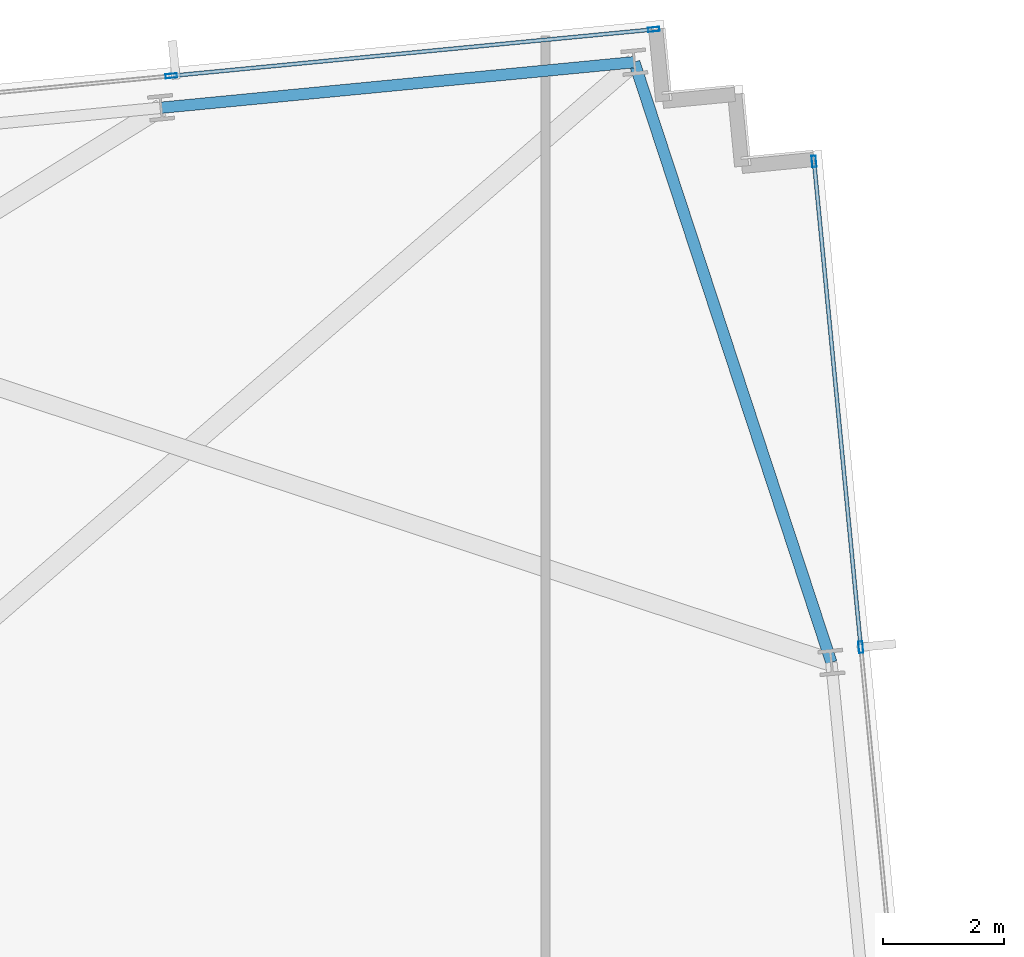
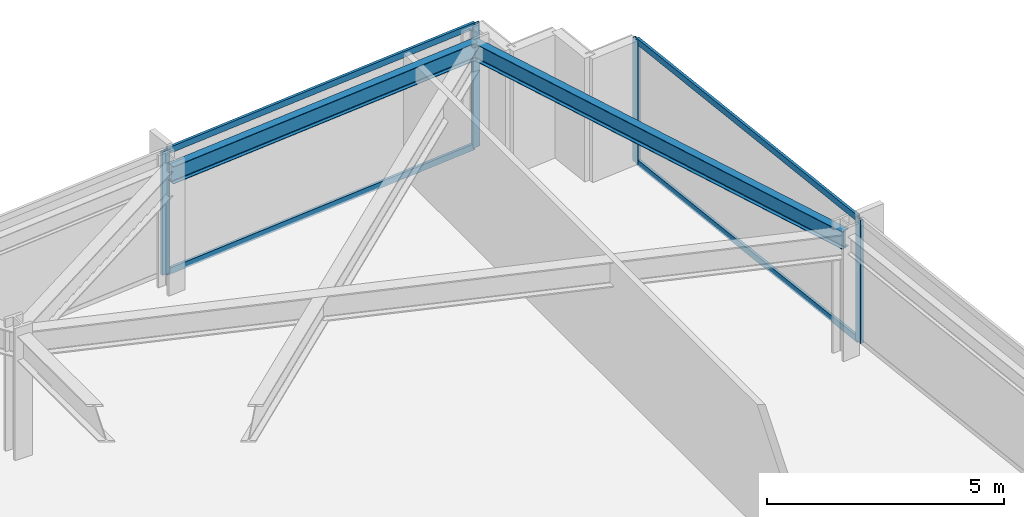
# One storey, part 23 of 32: 8 members, 2 beams, 2 elements without a shape of their own.
"""IFC4 building model written with IfcOpenShell, lengths in metres."""

from ifc_helpers import new_model, si_unit, direction, frame, origin, origin_2d, place, context, subcontext, project, spatial, hollow_rectangle, i_section, extrude, material, material_profile, profile_set, type_object, element, aggregate, save


model = new_model("IFC4")

# Units and contexts
model_context = context("Model", 3, precision=1e-05, world=origin(), true_north=direction((0.0, 1.0)))
body_context = subcontext(model_context, "Body", "Model", "MODEL_VIEW")
ifc_project = project(units=[si_unit("LENGTHUNIT", "METRE"), si_unit("AREAUNIT", "SQUARE_METRE"), si_unit("VOLUMEUNIT", "CUBIC_METRE"), si_unit("PLANEANGLEUNIT", "RADIAN"), si_unit("MASSUNIT", "GRAM", prefix="KILO")], contexts=[model_context])

# Site, building, storey
site_placement = place(None, origin())
site = spatial("IfcSite", under=ifc_project, at=site_placement, CompositionType="ELEMENT")
building_placement = place(site_placement, origin())
building = spatial("IfcBuilding", under=site, at=building_placement, Name="Yelkora Congress Tower", CompositionType="ELEMENT")
storey_placement = place(building_placement, frame((0.0, 0.0, 93.10009765625)))
storey = spatial("IfcBuildingStorey", under=building, at=storey_placement, Name="L24", CompositionType="ELEMENT", Elevation=93.10009765625)

# Beams
ifc_material_1 = material(Name="Steel S355J2", Category="steel")
ifc_material_profile_1 = material_profile(ifc_material_1, i_section(OverallWidth=0.18994140625, OverallDepth=0.449951171875, WebThickness=0.009521484375, FlangeThickness=0.0146484375, FilletRadius=0.02099609375, at=origin_2d()), Name="IPE 450")
ifc_profile_set_1 = profile_set([ifc_material_profile_1], Name="Steel S355J2")
beam_type = type_object("IfcBeamType", Name="BM-SPAN-IPE450", PredefinedType="SPANDREL", material=ifc_profile_set_1)
beam_1_placement = place(storey_placement, frame((74.522216796875, 40.610595703125, 2.954833984375), z_axis=(-0.311961656523, 0.950094692575, 0.0), x_axis=(-0.950094692575, -0.311961656523, 0.0)))
element("IfcBeam", 1, at=beam_1_placement, inside=storey, type_object=beam_type, Name="L24 Perimeter Beam 13", PredefinedType="SPANDREL", context=body_context, shape_type="SweptSolid", body=[
    extrude(i_section(OverallWidth=0.18994140625, OverallDepth=0.449951171875, WebThickness=0.009521484375, FlangeThickness=0.0146484375, FilletRadius=0.02099609375, at=origin_2d()), origin(), (0.0, 0.0, 1.0), 10.48046875),
])
beam_2_placement = place(storey_placement, frame((71.252685546875, 50.568115234375, 2.954833984375), z_axis=(-0.995392621281, -0.095882894719, 0.0), x_axis=(0.095882894719, -0.995392621281, 0.0)))
element("IfcBeam", 2, at=beam_2_placement, inside=storey, type_object=beam_type, Name="L24 Perimeter Beam 14", PredefinedType="SPANDREL", context=body_context, shape_type="SweptSolid", body=[
    extrude(i_section(OverallWidth=0.18994140625, OverallDepth=0.449951171875, WebThickness=0.009521484375, FlangeThickness=0.0146484375, FilletRadius=0.02099609375, at=origin_2d()), origin(), (0.0, 0.0, 1.0), 7.8857421875),
])

# Curtain wall, members
ifc_material_2 = material(Name="Anodised aluminium and insulated glass", Category="aluminium")
curtain_wall_type = type_object("IfcCurtainWallType", Name="CW-SYS-B2", PredefinedType="NOTDEFINED", material=ifc_material_2)
curtain_wall_1_placement = place(storey_placement, origin())
curtain_wall_1 = element("IfcCurtainWall", 3, at=curtain_wall_1_placement, inside=storey, type_object=curtain_wall_type, Name="L24 Unitised Curtain Wall 10 (3)", PredefinedType="NOTDEFINED")
ifc_material_3 = material(Name="Anodised aluminium 6063-T6", Category="aluminium")
ifc_material_profile_2 = material_profile(ifc_material_3, hollow_rectangle(XDim=0.070068359375, YDim=0.18994140625, WallThickness=0.00390625, at=origin_2d()), Name="ALU 70x190x4")
ifc_profile_set_2 = profile_set([ifc_material_profile_2], Name="Anodised aluminium 6063-T6")
member_type_1 = type_object("IfcMemberType", Name="MEM-ML-B2", PredefinedType="MULLION", material=ifc_profile_set_2)
member_1_placement = place(storey_placement, frame((63.572021484375, 50.3408203125, 0.0), z_axis=(0.0, 0.0, 1.0), x_axis=(-0.095844238468, 0.995396344153, 0.0)))
member_1 = element("IfcMember", 4, at=member_1_placement, type_object=member_type_1, Name="CW-B2 mullion 6", PredefinedType="MULLION", context=body_context, shape_type="SweptSolid", body=[
    extrude(hollow_rectangle(XDim=0.070068359375, YDim=0.18994140625, WallThickness=0.00390625, at=origin_2d()), origin(), (0.0, 0.0, 1.0), 3.179931640625),
])
member_2_placement = place(storey_placement, frame((71.5771484375, 51.111572265625, 0.0), z_axis=(0.0, 0.0, 1.0), x_axis=(-0.095844238468, 0.995396344153, 0.0)))
member_2 = element("IfcMember", 5, at=member_2_placement, type_object=member_type_1, Name="CW-B2 mullion 7", PredefinedType="MULLION", context=body_context, shape_type="SweptSolid", body=[
    extrude(hollow_rectangle(XDim=0.070068359375, YDim=0.18994140625, WallThickness=0.00390625, at=origin_2d()), origin(), (0.0, 0.0, 1.0), 3.179931640625),
])

curtain_wall_2_placement = place(storey_placement, origin())
curtain_wall_2 = element("IfcCurtainWall", 6, at=curtain_wall_2_placement, inside=storey, type_object=curtain_wall_type, Name="L24 Unitised Curtain Wall 15", PredefinedType="NOTDEFINED")
member_3_placement = place(storey_placement, frame((74.234375, 48.921142578125, 0.0), z_axis=(0.0, 0.0, 1.0), x_axis=(0.995396507508, 0.095842541913, 0.0)))
member_3 = element("IfcMember", 7, at=member_3_placement, type_object=member_type_1, Name="CW-B2 mullion 1", PredefinedType="MULLION", context=body_context, shape_type="SweptSolid", body=[
    extrude(hollow_rectangle(XDim=0.070068359375, YDim=0.18994140625, WallThickness=0.00390625, at=origin_2d()), origin(), (0.0, 0.0, 1.0), 3.179931640625),
])
member_4_placement = place(storey_placement, frame((75.010009765625, 40.863525390625, 0.0), z_axis=(0.0, 0.0, 1.0), x_axis=(0.995396507508, 0.095842541913, 0.0)))
member_4 = element("IfcMember", 8, at=member_4_placement, type_object=member_type_1, Name="CW-B2 mullion 2", PredefinedType="MULLION", context=body_context, shape_type="SweptSolid", body=[
    extrude(hollow_rectangle(XDim=0.070068359375, YDim=0.18994140625, WallThickness=0.00390625, at=origin_2d()), origin(), (0.0, 0.0, 1.0), 3.179931640625),
])

# Member
ifc_material_profile_3 = material_profile(ifc_material_3, hollow_rectangle(XDim=0.06494140625, YDim=0.159912109375, WallThickness=0.00390625, at=origin_2d()), Name="ALU 65x160x4")
ifc_profile_set_3 = profile_set([ifc_material_profile_3], Name="Anodised aluminium 6063-T6")
member_type_2 = type_object("IfcMemberType", Name="MEM-TR-B2", PredefinedType="USERDEFINED", material=ifc_profile_set_3)
member_5_placement = place(storey_placement, frame((63.606689453125, 50.343994140625, 0.032470703125), z_axis=(0.995395553311, 0.095852451448, 0.0), x_axis=(-0.095852451448, 0.995395553311, 0.0)))
member_5 = element("IfcMember", 9, at=member_5_placement, type_object=member_type_2, Name="CW-B2 transom 6.1", ObjectType="TRANSOM", PredefinedType="USERDEFINED", context=body_context, shape_type="SweptSolid", body=[
    extrude(hollow_rectangle(XDim=0.06494140625, YDim=0.159912109375, WallThickness=0.00390625, at=origin_2d()), origin(), (0.0, 0.0, 1.0), 7.97216796875),
])

member_6_placement = place(storey_placement, frame((63.606689453125, 50.343994140625, 3.1474609375), z_axis=(0.995395553311, 0.095852451448, 0.0), x_axis=(-0.095852451448, 0.995395553311, 0.0)))
member_6 = element("IfcMember", 10, at=member_6_placement, type_object=member_type_2, Name="CW-B2 transom 6.2", ObjectType="TRANSOM", PredefinedType="USERDEFINED", context=body_context, shape_type="SweptSolid", body=[
    extrude(hollow_rectangle(XDim=0.06494140625, YDim=0.159912109375, WallThickness=0.00390625, at=origin_2d()), origin(), (0.0, 0.0, 1.0), 7.97216796875),
])

aggregate(curtain_wall_1, [member_1, member_2, member_5, member_6])

member_7_placement = place(storey_placement, frame((74.237548828125, 48.88623046875, 0.032470703125), z_axis=(0.095861385662, -0.995394692943, 0.0), x_axis=(0.995394692943, 0.095861385662, 0.0)))
member_7 = element("IfcMember", 11, at=member_7_placement, type_object=member_type_2, Name="CW-B2 transom 1.1", ObjectType="TRANSOM", PredefinedType="USERDEFINED", context=body_context, shape_type="SweptSolid", body=[
    extrude(hollow_rectangle(XDim=0.06494140625, YDim=0.159912109375, WallThickness=0.00390625, at=origin_2d()), origin(), (0.0, 0.0, 1.0), 8.02490234375),
])

member_8_placement = place(storey_placement, frame((74.237548828125, 48.88623046875, 3.1474609375), z_axis=(0.095861385662, -0.995394692943, 0.0), x_axis=(0.995394692943, 0.095861385662, 0.0)))
member_8 = element("IfcMember", 12, at=member_8_placement, type_object=member_type_2, Name="CW-B2 transom 1.2", ObjectType="TRANSOM", PredefinedType="USERDEFINED", context=body_context, shape_type="SweptSolid", body=[
    extrude(hollow_rectangle(XDim=0.06494140625, YDim=0.159912109375, WallThickness=0.00390625, at=origin_2d()), origin(), (0.0, 0.0, 1.0), 8.02490234375),
])

aggregate(curtain_wall_2, [member_3, member_4, member_7, member_8])

save(model, "model.ifc")
